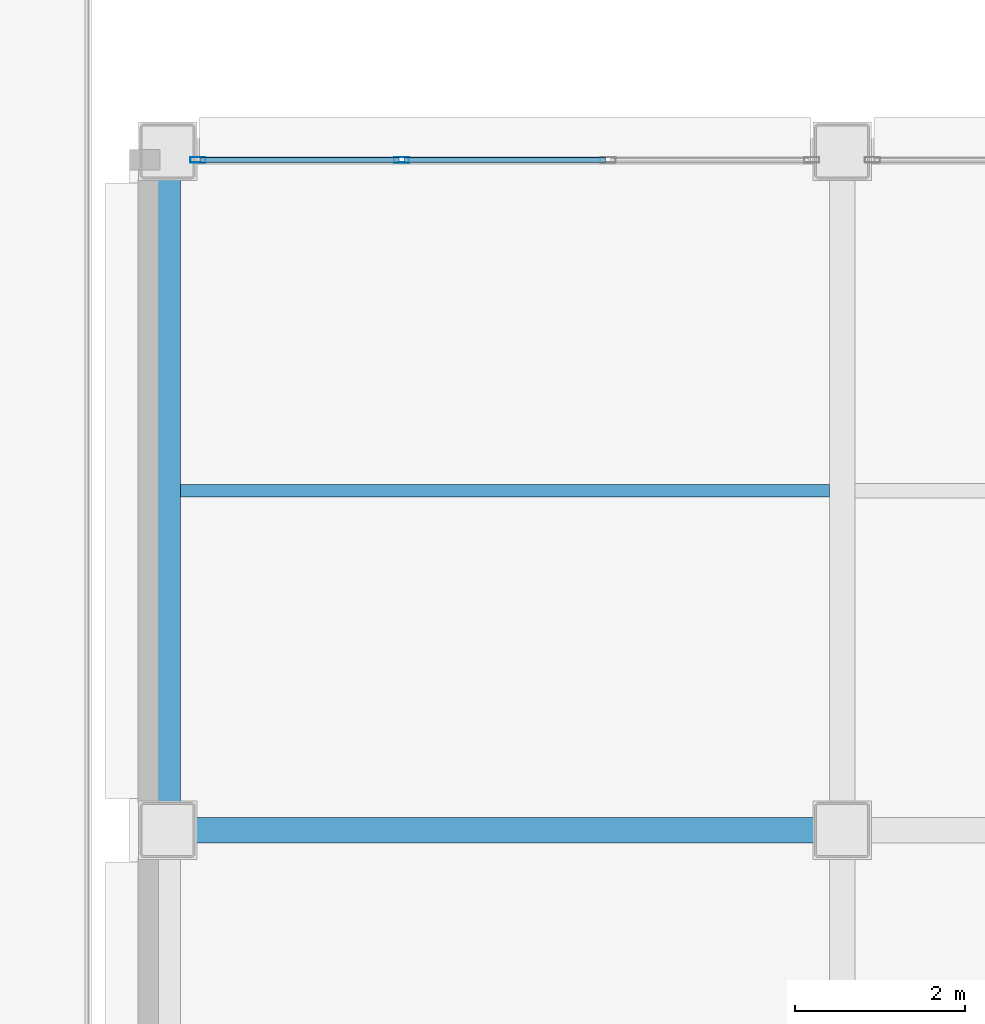
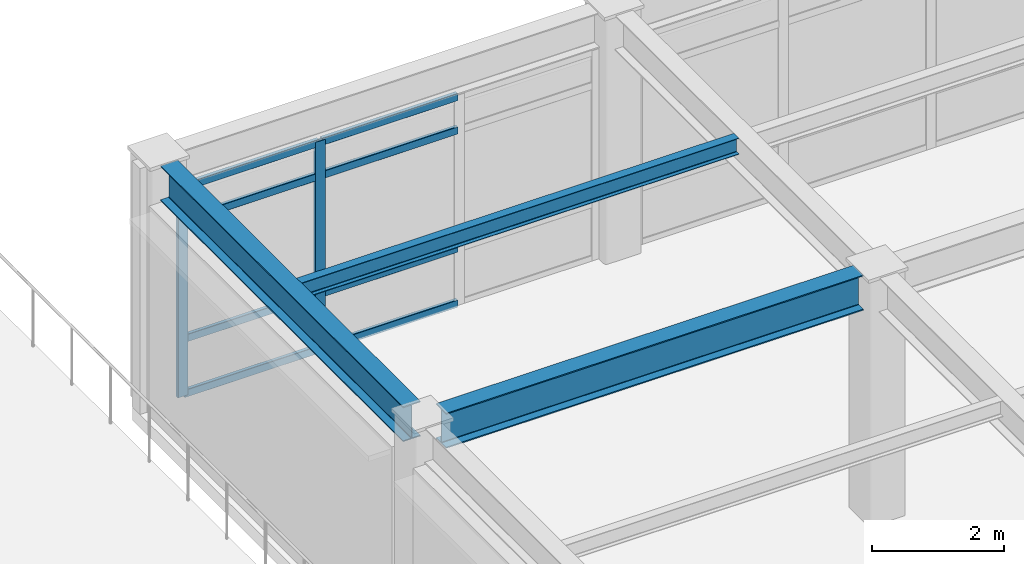
# One storey, part 28 of 93: 10 members, 3 beams, 1 element without a shape of its own.
"""IFC4 building model written with IfcOpenShell, lengths in metres."""

import ifcopenshell
import ifcopenshell.guid

model = None  # the IFC model being written
_history = None  # IfcOwnerHistory: only IFC2X3 demands one
_inside = {}  # id of a spatial element -> (the spatial element, [elements in it])
_under = {}  # id of a project, library or spatial element -> (it, [spatial elements below it])
_declared = {}  # id of a project -> (the project, [libraries it declares])
_typed = {}  # id of a type object -> (the type object, [elements of that type])
_made_of = {}  # id of a material, layer set ... -> (it, [elements and type objects made of it])


def new_model(schema):
    """Start an empty IFC model of exactly this schema.

    Asked for "IFC4X3", IfcOpenShell would pick the latest addendum, in which some entities
    have other attributes; the version numbers below select the first issue.
    IFC2X3 requires an IfcOwnerHistory on every rooted entity: one is made here for all.
    """
    global model, _history
    if schema == "IFC4X3":
        model = ifcopenshell.file(schema_version=(4, 3, 0, 0))
    else:
        model = ifcopenshell.file(schema=schema)
    _inside.clear()
    _under.clear()
    _declared.clear()
    _typed.clear()
    _made_of.clear()
    _history = None
    if model.schema == "IFC2X3":
        org = make("IfcOrganization", Name="unknown")
        user = make(
            "IfcPersonAndOrganization",
            ThePerson=make("IfcPerson", FamilyName="unknown"),
            TheOrganization=org,
        )
        app = make(
            "IfcApplication",
            ApplicationDeveloper=org,
            Version="unknown",
            ApplicationFullName="unknown",
            ApplicationIdentifier="unknown",
        )
        _history = make(
            "IfcOwnerHistory",
            OwningUser=user,
            OwningApplication=app,
            ChangeAction="ADDED",
            CreationDate=0,
        )
    return model


def make(cls, **values):
    """One entity of the class cls with the attributes given. An attribute that is None is left unset."""
    return model.create_entity(
        cls, **{name: value for name, value in values.items() if value is not None}
    )


def rooted(cls, **values):
    """An entity with a GlobalId (a new one), such as an element, a storey or a relation."""
    return make(cls, GlobalId=ifcopenshell.guid.new(), OwnerHistory=_history, **values)


def si_unit(unit_type, name, prefix=None):
    """IfcSIUnit, for example si_unit("LENGTHUNIT", "METRE", prefix="MILLI")."""
    return make("IfcSIUnit", UnitType=unit_type, Prefix=prefix, Name=name)


def assignment(units):
    """IfcUnitAssignment: the units of a project."""
    return None if units is None else make("IfcUnitAssignment", Units=units)


def point(xyz):
    """IfcCartesianPoint."""
    return None if xyz is None else make("IfcCartesianPoint", Coordinates=xyz)


def direction(xyz):
    """IfcDirection."""
    return None if xyz is None else make("IfcDirection", DirectionRatios=xyz)


def frame(location, z_axis=None, x_axis=None):
    """IfcAxis2Placement3D, a coordinate frame: its origin and axes. An axis left out is left unset."""
    return make(
        "IfcAxis2Placement3D",
        Location=point(location),
        Axis=direction(z_axis),
        RefDirection=direction(x_axis),
    )


def frame_2d(location, x_axis=None):
    """IfcAxis2Placement2D, a coordinate frame in the plane: its origin and x axis."""
    return make(
        "IfcAxis2Placement2D", Location=point(location), RefDirection=direction(x_axis)
    )


def origin():
    """The frame at (0, 0, 0) with its axes left unset."""
    return frame((0.0, 0.0, 0.0))


def origin_2d():
    """The frame at (0, 0) in the plane with its x axis left unset."""
    return frame_2d((0.0, 0.0))


def place(relative_to, where):
    """IfcLocalPlacement: puts the frame where relative to a parent placement (None: the world)."""
    return make(
        "IfcLocalPlacement", PlacementRelTo=relative_to, RelativePlacement=where
    )


def context(
    kind, dimensions, precision=None, world=None, true_north=None, identifier=None
):
    """IfcGeometricRepresentationContext, for example the 3D "Model" context."""
    return make(
        "IfcGeometricRepresentationContext",
        ContextIdentifier=identifier,
        ContextType=kind,
        CoordinateSpaceDimension=dimensions,
        Precision=precision,
        WorldCoordinateSystem=world,
        TrueNorth=true_north,
    )


def subcontext(parent, identifier, kind, view, scale=None):
    """IfcGeometricRepresentationSubContext, for example "Body" below "Model"."""
    return make(
        "IfcGeometricRepresentationSubContext",
        ContextIdentifier=identifier,
        ContextType=kind,
        ParentContext=parent,
        TargetScale=scale,
        TargetView=view,
    )


def project(units=None, contexts=None):
    """IfcProject with its units and contexts."""
    return rooted(
        "IfcProject",
        Name="project",
        RepresentationContexts=contexts,
        UnitsInContext=assignment(units),
    )


def spatial(cls, under=None, at=None, **own):
    """A site, building, storey or space (cls), placed at a placement, below another one or the project."""
    s = rooted(cls, ObjectPlacement=at, **own)
    if under is not None:
        _under.setdefault(under.id(), (under, []))[1].append(s)
    return s


def profile(cls, at=None, kind="AREA", **sizes):
    """A parametric profile (cls). Its sizes go by their IFC names, for example OverallWidth=200.0."""
    return make(cls, ProfileType=kind, Position=at, **sizes)


def hollow_rectangle(**sizes):
    """IfcRectangleHollowProfileDef."""
    return profile("IfcRectangleHollowProfileDef", **sizes)


def i_section(**sizes):
    """IfcIShapeProfileDef."""
    return profile("IfcIShapeProfileDef", **sizes)


def extrude(swept, where, along, depth):
    """IfcExtrudedAreaSolid: the profile swept, set in the frame where, extruded along a direction by depth."""
    return make(
        "IfcExtrudedAreaSolid",
        SweptArea=swept,
        Position=where,
        ExtrudedDirection=direction(along),
        Depth=depth,
    )


def shape(context_of_items, identifier, shape_type, items):
    """IfcShapeRepresentation: the items that make up one representation, for example the "Body"."""
    return make(
        "IfcShapeRepresentation",
        ContextOfItems=context_of_items,
        RepresentationIdentifier=identifier,
        RepresentationType=shape_type,
        Items=items,
    )


def material(Name=None, Category=None):
    """IfcMaterial."""
    return make("IfcMaterial", Name=Name, Category=Category)


def layer(
    of_material, thickness, ventilated=None, Name=None, Category=None, Priority=None
):
    """IfcMaterialLayer: one layer of a wall or slab, of a material (None: an air gap)."""
    return make(
        "IfcMaterialLayer",
        Material=of_material,
        LayerThickness=thickness,
        IsVentilated=ventilated,
        Name=Name,
        Category=Category,
        Priority=Priority,
    )


def layer_set(layers, Name=None):
    """IfcMaterialLayerSet."""
    return make("IfcMaterialLayerSet", MaterialLayers=layers, LayerSetName=Name)


def material_profile(
    of_material, cross_section, Name=None, Category=None, Priority=None
):
    """IfcMaterialProfile: a cross section and its material."""
    return make(
        "IfcMaterialProfile",
        Name=Name,
        Material=of_material,
        Profile=cross_section,
        Priority=Priority,
        Category=Category,
    )


def profile_set(profiles, Name=None, composite=None):
    """IfcMaterialProfileSet."""
    return make(
        "IfcMaterialProfileSet",
        Name=Name,
        MaterialProfiles=profiles,
        CompositeProfile=composite,
    )


def made_of(thing, what):
    """Note that an element or type object is made of a material, layer set ...; save() writes the relation."""
    if what is not None:
        _made_of.setdefault(what.id(), (what, []))[1].append(thing)
    return thing


def type_object(cls, material=None, **own):
    """A type object (cls), such as IfcWallType, which elements share."""
    return made_of(rooted(cls, **own), material)


def element(
    cls,
    number,
    at=None,
    inside=None,
    cuts=None,
    type_object=None,
    material=None,
    context=None,
    identifier="Body",
    shape_type=None,
    held_by="IfcProductDefinitionShape",
    body=None,
    shapes=None,
    **own,
):
    """One element of the class cls, such as IfcWall. Its Tag is "e" and its number.

    at: its placement. inside: the storey or other place that contains it. cuts: it is an
    opening in that element (IfcRelVoidsElement). A single representation is given by context,
    identifier, shape_type and body (its items); several are given by shapes. held_by: the class
    of the entity that holds the representations. save() writes the other relations.
    """
    e = rooted(cls, Tag="e%d" % number, ObjectPlacement=at, **own)
    if body is not None:
        shapes = [shape(context, identifier, shape_type, body)]
    if shapes is not None:
        e.Representation = make(held_by, Representations=shapes)
    if inside is not None:
        _inside.setdefault(inside.id(), (inside, []))[1].append(e)
    if cuts is not None:
        rooted(
            "IfcRelVoidsElement", RelatingBuildingElement=cuts, RelatedOpeningElement=e
        )
    if type_object is not None:
        _typed.setdefault(type_object.id(), (type_object, []))[1].append(e)
    return made_of(e, material)


def aggregate(whole, parts):
    """IfcRelAggregates: a whole, such as a stair, and the parts it consists of."""
    return rooted("IfcRelAggregates", RelatingObject=whole, RelatedObjects=parts)


def save(model, path):
    """Write the relations noted so far, then the file.

    IfcRelAggregates (storeys below a building ...), IfcRelContainedInSpatialStructure (elements
    in a storey), IfcRelDefinesByType, IfcRelAssociatesMaterial and IfcRelDeclares: one each for
    every whole, place, type object, material and project.
    """
    for whole, parts in _under.values():
        aggregate(whole, parts)
    for where, things in _inside.values():
        rooted(
            "IfcRelContainedInSpatialStructure",
            RelatedElements=things,
            RelatingStructure=where,
        )
    for kind, things in _typed.values():
        rooted("IfcRelDefinesByType", RelatedObjects=things, RelatingType=kind)
    for what, things in _made_of.values():
        rooted("IfcRelAssociatesMaterial", RelatedObjects=things, RelatingMaterial=what)
    for by, libraries in _declared.values():
        rooted("IfcRelDeclares", RelatingContext=by, RelatedDefinitions=libraries)
    model.write(path)


model = new_model("IFC4")

# Units and contexts
model_context = context("Model", 3, precision=1e-05, world=origin(), true_north=direction((0.0, 1.0)))
body_context = subcontext(model_context, "Body", "Model", "MODEL_VIEW")
ifc_project = project(units=[si_unit("LENGTHUNIT", "METRE"), si_unit("AREAUNIT", "SQUARE_METRE"), si_unit("VOLUMEUNIT", "CUBIC_METRE"), si_unit("PLANEANGLEUNIT", "RADIAN"), si_unit("MASSUNIT", "GRAM", prefix="KILO")], contexts=[model_context])

# Site, building, storey
site_placement = place(None, origin())
site = spatial("IfcSite", under=ifc_project, at=site_placement, CompositionType="ELEMENT")
building_placement = place(site_placement, origin())
building = spatial("IfcBuilding", under=site, at=building_placement, Name="Kazehara Bluff Congress Hotel", CompositionType="ELEMENT")
storey_placement = place(building_placement, frame((0.0, 0.0, 15.0)))
storey = spatial("IfcBuildingStorey", under=building, at=storey_placement, Name="L03", CompositionType="ELEMENT", Elevation=15.0)

# Curtain wall, members
ifc_material_1 = material(Name="Anodised aluminium", Category="aluminium")
ifc_layer = layer(ifc_material_1, 0.159912109375)
ifc_layer_set = layer_set([ifc_layer], Name="Anodised aluminium")
curtain_wall_type = type_object("IfcCurtainWallType", Name="TP-CW-80", PredefinedType="NOTDEFINED", material=ifc_layer_set)
curtain_wall_placement = place(storey_placement, origin())
curtain_wall = element("IfcCurtainWall", 1, at=curtain_wall_placement, inside=storey, type_object=curtain_wall_type, Name="L03 curtain wall CW-80 CW-ENC-V5-L03-11452-3190", PredefinedType="NOTDEFINED")
ifc_material_2 = material(Name="Anodised aluminium", Category="aluminium")
ifc_material_profile_1 = material_profile(ifc_material_2, hollow_rectangle(XDim=0.06494140625, YDim=0.179931640625, WallThickness=0.00390625, InnerFilletRadius=0.00390625, OuterFilletRadius=0.008056640625, at=origin_2d()))
ifc_profile_set_1 = profile_set([ifc_material_profile_1], Name="Anodised aluminium")
member_type_1 = type_object("IfcMemberType", Name="TP-CWM-02", PredefinedType="MULLION", material=ifc_profile_set_1)
member_1_placement = place(storey_placement, frame((110.907470703125, 31.89990234375, 0.0), z_axis=(0.0, 0.0, 1.0), x_axis=(0.0, 1.0, 0.0)))
member_1 = element("IfcMember", 2, at=member_1_placement, type_object=member_type_1, Name="CW-80 mullion 1", PredefinedType="MULLION", context=body_context, shape_type="SweptSolid", body=[
    extrude(hollow_rectangle(XDim=0.06494140625, YDim=0.179931640625, WallThickness=0.00390625, InnerFilletRadius=0.00390625, OuterFilletRadius=0.008056640625, at=origin_2d()), origin(), (0.0, 0.0, 1.0), 3.885009765625),
])
member_2_placement = place(storey_placement, frame((113.308349609375, 31.89990234375, 0.0), z_axis=(0.0, 0.0, 1.0), x_axis=(0.0, 1.0, 0.0)))
member_2 = element("IfcMember", 3, at=member_2_placement, type_object=member_type_1, Name="CW-80 mullion 2", PredefinedType="MULLION", context=body_context, shape_type="SweptSolid", body=[
    extrude(hollow_rectangle(XDim=0.06494140625, YDim=0.179931640625, WallThickness=0.00390625, InnerFilletRadius=0.00390625, OuterFilletRadius=0.008056640625, at=origin_2d()), origin(), (0.0, 0.0, 1.0), 3.885009765625),
])
ifc_material_3 = material(Name="Anodised aluminium", Category="aluminium")
ifc_material_profile_2 = material_profile(ifc_material_3, hollow_rectangle(XDim=0.06494140625, YDim=0.139892578125, WallThickness=0.00390625, InnerFilletRadius=0.00390625, OuterFilletRadius=0.008056640625, at=origin_2d()))
ifc_profile_set_2 = profile_set([ifc_material_profile_2], Name="Anodised aluminium")
member_type_2 = type_object("IfcMemberType", Name="TP-CWT-02", PredefinedType="USERDEFINED", material=ifc_profile_set_2)
member_3_placement = place(storey_placement, frame((110.93994140625, 31.89990234375, 0.032470703125), z_axis=(1.0, 0.0, 0.0), x_axis=(0.0, 1.0, 0.0)))
member_3 = element("IfcMember", 4, at=member_3_placement, type_object=member_type_2, Name="CW-80 transom 1.1", ObjectType="TRANSOM", PredefinedType="USERDEFINED", context=body_context, shape_type="SweptSolid", body=[
    extrude(hollow_rectangle(XDim=0.06494140625, YDim=0.139892578125, WallThickness=0.00390625, InnerFilletRadius=0.00390625, OuterFilletRadius=0.008056640625, at=origin_2d()), origin(), (0.0, 0.0, 1.0), 2.3359375),
])
member_4_placement = place(storey_placement, frame((110.93994140625, 31.89990234375, 1.050048828125), z_axis=(1.0, 0.0, 0.0), x_axis=(0.0, 1.0, 0.0)))
member_4 = element("IfcMember", 5, at=member_4_placement, type_object=member_type_2, Name="CW-80 transom 1.2", ObjectType="TRANSOM", PredefinedType="USERDEFINED", context=body_context, shape_type="SweptSolid", body=[
    extrude(hollow_rectangle(XDim=0.06494140625, YDim=0.139892578125, WallThickness=0.00390625, InnerFilletRadius=0.00390625, OuterFilletRadius=0.008056640625, at=origin_2d()), origin(), (0.0, 0.0, 1.0), 2.3359375),
])
member_5_placement = place(storey_placement, frame((110.93994140625, 31.89990234375, 3.235107421875), z_axis=(1.0, 0.0, 0.0), x_axis=(0.0, 1.0, 0.0)))
member_5 = element("IfcMember", 6, at=member_5_placement, type_object=member_type_2, Name="CW-80 transom 1.3", ObjectType="TRANSOM", PredefinedType="USERDEFINED", context=body_context, shape_type="SweptSolid", body=[
    extrude(hollow_rectangle(XDim=0.06494140625, YDim=0.139892578125, WallThickness=0.00390625, InnerFilletRadius=0.00390625, OuterFilletRadius=0.008056640625, at=origin_2d()), origin(), (0.0, 0.0, 1.0), 2.3359375),
])
member_6_placement = place(storey_placement, frame((110.93994140625, 31.89990234375, 3.8525390625), z_axis=(1.0, 0.0, 0.0), x_axis=(0.0, 1.0, 0.0)))
member_6 = element("IfcMember", 7, at=member_6_placement, type_object=member_type_2, Name="CW-80 transom 1.4", ObjectType="TRANSOM", PredefinedType="USERDEFINED", context=body_context, shape_type="SweptSolid", body=[
    extrude(hollow_rectangle(XDim=0.06494140625, YDim=0.139892578125, WallThickness=0.00390625, InnerFilletRadius=0.00390625, OuterFilletRadius=0.008056640625, at=origin_2d()), origin(), (0.0, 0.0, 1.0), 2.3359375),
])
member_7_placement = place(storey_placement, frame((113.3408203125, 31.89990234375, 0.032470703125), z_axis=(1.0, 0.0, 0.0), x_axis=(0.0, 1.0, 0.0)))
member_7 = element("IfcMember", 8, at=member_7_placement, type_object=member_type_2, Name="CW-80 transom 2.1", ObjectType="TRANSOM", PredefinedType="USERDEFINED", context=body_context, shape_type="SweptSolid", body=[
    extrude(hollow_rectangle(XDim=0.06494140625, YDim=0.139892578125, WallThickness=0.00390625, InnerFilletRadius=0.00390625, OuterFilletRadius=0.008056640625, at=origin_2d()), origin(), (0.0, 0.0, 1.0), 2.368408203125),
])
member_8_placement = place(storey_placement, frame((113.3408203125, 31.89990234375, 1.050048828125), z_axis=(1.0, 0.0, 0.0), x_axis=(0.0, 1.0, 0.0)))
member_8 = element("IfcMember", 9, at=member_8_placement, type_object=member_type_2, Name="CW-80 transom 2.2", ObjectType="TRANSOM", PredefinedType="USERDEFINED", context=body_context, shape_type="SweptSolid", body=[
    extrude(hollow_rectangle(XDim=0.06494140625, YDim=0.139892578125, WallThickness=0.00390625, InnerFilletRadius=0.00390625, OuterFilletRadius=0.008056640625, at=origin_2d()), origin(), (0.0, 0.0, 1.0), 2.368408203125),
])
member_9_placement = place(storey_placement, frame((113.3408203125, 31.89990234375, 3.235107421875), z_axis=(1.0, 0.0, 0.0), x_axis=(0.0, 1.0, 0.0)))
member_9 = element("IfcMember", 10, at=member_9_placement, type_object=member_type_2, Name="CW-80 transom 2.3", ObjectType="TRANSOM", PredefinedType="USERDEFINED", context=body_context, shape_type="SweptSolid", body=[
    extrude(hollow_rectangle(XDim=0.06494140625, YDim=0.139892578125, WallThickness=0.00390625, InnerFilletRadius=0.00390625, OuterFilletRadius=0.008056640625, at=origin_2d()), origin(), (0.0, 0.0, 1.0), 2.368408203125),
])
member_10_placement = place(storey_placement, frame((113.3408203125, 31.89990234375, 3.8525390625), z_axis=(1.0, 0.0, 0.0), x_axis=(0.0, 1.0, 0.0)))
member_10 = element("IfcMember", 11, at=member_10_placement, type_object=member_type_2, Name="CW-80 transom 2.4", ObjectType="TRANSOM", PredefinedType="USERDEFINED", context=body_context, shape_type="SweptSolid", body=[
    extrude(hollow_rectangle(XDim=0.06494140625, YDim=0.139892578125, WallThickness=0.00390625, InnerFilletRadius=0.00390625, OuterFilletRadius=0.008056640625, at=origin_2d()), origin(), (0.0, 0.0, 1.0), 2.368408203125),
])
aggregate(curtain_wall, [member_1, member_2, member_3, member_4, member_5, member_6, member_7, member_8, member_9, member_10])

# Beams
ifc_material_4 = material(Name="Steel SN490B", Category="steel")
ifc_material_profile_3 = material_profile(ifc_material_4, i_section(OverallWidth=0.300048828125, OverallDepth=0.64990234375, WebThickness=0.011962890625, FlangeThickness=0.02001953125, FilletRadius=0.012939453125, at=origin_2d()))
ifc_profile_set_3 = profile_set([ifc_material_profile_3], Name="Steel SN490B")
beam_type_1 = type_object("IfcBeamType", Name="TP-G-03", PredefinedType="BEAM", material=ifc_profile_set_3)
beam_1_placement = place(storey_placement, frame((110.550048828125, 24.324951171875, 4.235107421875), z_axis=(0.0, 1.0, 0.0), x_axis=(-1.0, 0.0, 0.0)))
element("IfcBeam", 12, at=beam_1_placement, inside=storey, type_object=beam_type_1, Name="L03 girder G-03 102", PredefinedType="BEAM", context=body_context, shape_type="SweptSolid", body=[
    extrude(i_section(OverallWidth=0.300048828125, OverallDepth=0.64990234375, WebThickness=0.011962890625, FlangeThickness=0.02001953125, FilletRadius=0.012939453125, at=origin_2d()), origin(), (0.0, 0.0, 1.0), 7.35009765625),
])
beam_2_placement = place(storey_placement, frame((110.875, 24.0, 4.235107421875), z_axis=(1.0, 0.0, 0.0), x_axis=(0.0, 1.0, 0.0)))
element("IfcBeam", 13, at=beam_2_placement, inside=storey, type_object=beam_type_1, Name="L03 girder G-03 164", PredefinedType="BEAM", context=body_context, shape_type="SweptSolid", body=[
    extrude(i_section(OverallWidth=0.300048828125, OverallDepth=0.64990234375, WebThickness=0.011962890625, FlangeThickness=0.02001953125, FilletRadius=0.012939453125, at=origin_2d()), origin(), (0.0, 0.0, 1.0), 7.300048828125),
])
ifc_material_5 = material(Name="Steel SN400B", Category="steel")
ifc_material_profile_4 = material_profile(ifc_material_5, i_section(OverallWidth=0.14990234375, OverallDepth=0.300048828125, WebThickness=0.006591796875, FlangeThickness=0.009033203125, FilletRadius=0.012939453125, at=origin_2d()))
ifc_profile_set_4 = profile_set([ifc_material_profile_4], Name="Steel SN400B")
beam_type_2 = type_object("IfcBeamType", Name="TP-J-01", PredefinedType="JOIST", material=ifc_profile_set_4)
beam_3_placement = place(storey_placement, frame((110.699951171875, 28.0, 4.409912109375), z_axis=(1.0, 0.0, 0.0), x_axis=(0.0, 1.0, 0.0)))
element("IfcBeam", 14, at=beam_3_placement, inside=storey, type_object=beam_type_2, Name="L03 secondary joist J-01 23", PredefinedType="JOIST", context=body_context, shape_type="SweptSolid", body=[
    extrude(i_section(OverallWidth=0.14990234375, OverallDepth=0.300048828125, WebThickness=0.006591796875, FlangeThickness=0.009033203125, FilletRadius=0.012939453125, at=origin_2d()), origin(), (0.0, 0.0, 1.0), 7.650146484375),
])

save(model, "model.ifc")
